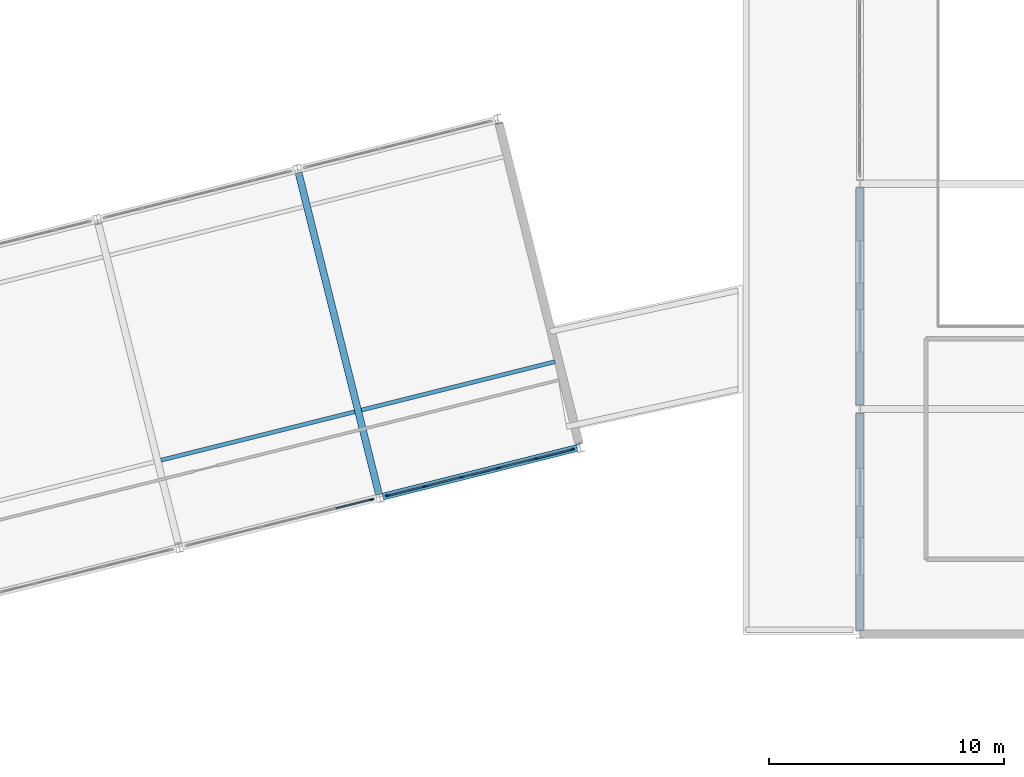
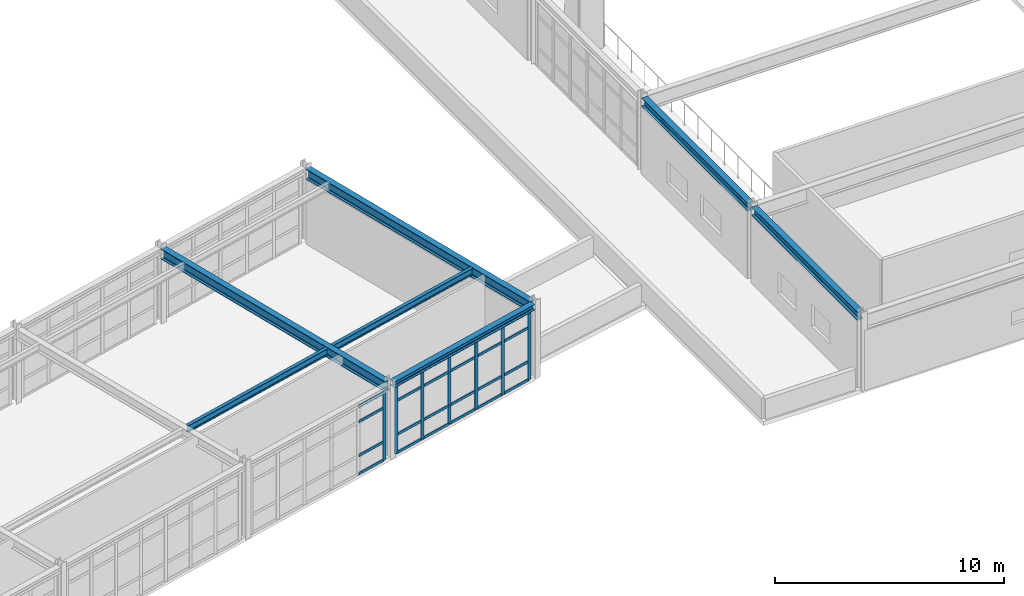
# One storey, part 22 of 76: 31 members, 7 beams, 2 elements without a shape of their own.
"""IFC4 building model written with IfcOpenShell, lengths in metres."""

from ifc_helpers import new_model, si_unit, direction, frame, origin, origin_2d, place, context, subcontext, project, spatial, rectangle, i_section, extrude, material, layer, layer_set, material_profile, profile_set, type_object, element, aggregate, save


model = new_model("IFC4")

# Units and contexts
model_context = context("Model", 3, precision=1e-05, world=origin(), true_north=direction((0.0, 1.0)))
body_context = subcontext(model_context, "Body", "Model", "MODEL_VIEW")
ifc_project = project(units=[si_unit("LENGTHUNIT", "METRE"), si_unit("AREAUNIT", "SQUARE_METRE"), si_unit("VOLUMEUNIT", "CUBIC_METRE"), si_unit("PLANEANGLEUNIT", "RADIAN"), si_unit("MASSUNIT", "GRAM", prefix="KILO")], contexts=[model_context])

# Site, building, storey
site_placement = place(None, origin())
site = spatial("IfcSite", under=ifc_project, at=site_placement, CompositionType="ELEMENT")
building_placement = place(site_placement, origin())
building = spatial("IfcBuilding", under=site, at=building_placement, Name="Nordkorset Police Headquarters", CompositionType="ELEMENT")
storey_placement = place(building_placement, frame((0.0, 0.0, 13.64990234375)))
storey = spatial("IfcBuildingStorey", under=building, at=storey_placement, Name="L03", CompositionType="ELEMENT", Elevation=13.64990234375)

# Beams
ifc_material_1 = material(Name="Steel S355J2", Category="steel")
ifc_material_profile_1 = material_profile(ifc_material_1, i_section(OverallWidth=0.169921875, OverallDepth=0.360107421875, WebThickness=0.008056640625, FlangeThickness=0.0126953125, FilletRadius=0.01806640625, at=origin_2d()), Name="IPE 360")
ifc_profile_set_1 = profile_set([ifc_material_profile_1], Name="Steel S355J2")
beam_type_1 = type_object("IfcBeamType", Name="Beam_IPE_360", PredefinedType="BEAM", material=ifc_profile_set_1)
for number, where, z_axis, x_axis, name in (
    (1, (61.629638671875, 55.42431640625, 3.80517578125), (0.970142500145, 0.242535625036, 0.0), (-0.242535625036, 0.970142500145, 0.0), "Splayed Wing Secondary Beam L03 4-1"),
    (2, (70.166748046875, 57.55859375, 3.80517578125), (0.970144189653, 0.242528866904, 0.0), (-0.242528866904, 0.970144189653, 0.0), "Splayed Wing Secondary Beam L03 5-1"),
):
    element("IfcBeam", number, at=place(storey_placement, frame(where, z_axis=z_axis, x_axis=x_axis)), inside=storey, type_object=beam_type_1, Name=name, PredefinedType="BEAM", context=body_context, shape_type="SweptSolid", body=[
        extrude(i_section(OverallWidth=0.169921875, OverallDepth=0.360107421875, WebThickness=0.008056640625, FlangeThickness=0.0126953125, FilletRadius=0.01806640625, at=origin_2d()), origin(), (0.0, 0.0, 1.0), 8.5),
    ])

# Curtain wall, member
ifc_material_2 = material(Name="Aluminium alloy AW-6060", Category="aluminium")
ifc_layer = layer(ifc_material_2, 0.179931640625, Name="Aluminium alloy AW-6060")
ifc_layer_set = layer_set([ifc_layer], Name="Aluminium alloy AW-6060")
curtain_wall_type = type_object("IfcCurtainWallType", Name="CW_Unit_816x366", PredefinedType="USERDEFINED", material=ifc_layer_set)
curtain_wall_1_placement = place(storey_placement, origin())
curtain_wall_1 = element("IfcCurtainWall", 3, at=curtain_wall_1_placement, inside=storey, type_object=curtain_wall_type, Name="Unitised Curtain Wall L03 V4S-4", ObjectType="UNITISED CURTAIN WALL", PredefinedType="USERDEFINED")
ifc_material_3 = material(Name="Aluminium alloy AW-6060", Category="aluminium")
ifc_material_profile_2 = material_profile(ifc_material_3, rectangle(XDim=0.06494140625, YDim=0.179931640625, at=origin_2d()), Name="ALU MULL 65x180")
ifc_profile_set_2 = profile_set([ifc_material_profile_2], Name="Aluminium alloy AW-6060")
member_type_1 = type_object("IfcMemberType", Name="CW_Mullion_65x180", PredefinedType="MULLION", material=ifc_profile_set_2)
member_1_placement = place(storey_placement, frame((70.60107421875, 53.750244140625, 0.0), z_axis=(0.0, 0.0, 1.0), x_axis=(-0.242535625038, 0.970142500145, 0.0)))
member_1 = element("IfcMember", 4, at=member_1_placement, type_object=member_type_1, Name="CW-87 mullion 6", PredefinedType="MULLION", context=body_context, shape_type="SweptSolid", body=[
    extrude(rectangle(XDim=0.06494140625, YDim=0.179931640625, at=origin_2d()), origin(), (0.0, 0.0, 1.0), 3.655029296875),
])

# Curtain wall, members
curtain_wall_2_placement = place(storey_placement, origin())
curtain_wall_2 = element("IfcCurtainWall", 5, at=curtain_wall_2_placement, inside=storey, type_object=curtain_wall_type, Name="Unitised Curtain Wall L03 V4S-5", ObjectType="UNITISED CURTAIN WALL", PredefinedType="USERDEFINED")
member_2_placement = place(storey_placement, frame((71.284912109375, 53.921142578125, 0.0), z_axis=(0.0, 0.0, 1.0), x_axis=(-0.242535625038, 0.970142500145, 0.0)))
member_2 = element("IfcMember", 6, at=member_2_placement, type_object=member_type_1, Name="CW-87 mullion 1", PredefinedType="MULLION", context=body_context, shape_type="SweptSolid", body=[
    extrude(rectangle(XDim=0.06494140625, YDim=0.179931640625, at=origin_2d()), origin(), (0.0, 0.0, 1.0), 3.655029296875),
])
member_3_placement = place(storey_placement, frame((72.836669921875, 54.30908203125, 0.0), z_axis=(0.0, 0.0, 1.0), x_axis=(-0.242535625038, 0.970142500145, 0.0)))
member_3 = element("IfcMember", 7, at=member_3_placement, type_object=member_type_1, Name="CW-87 mullion 2", PredefinedType="MULLION", context=body_context, shape_type="SweptSolid", body=[
    extrude(rectangle(XDim=0.06494140625, YDim=0.179931640625, at=origin_2d()), origin(), (0.0, 0.0, 1.0), 3.655029296875),
])
member_4_placement = place(storey_placement, frame((74.419921875, 54.705078125, 0.0), z_axis=(0.0, 0.0, 1.0), x_axis=(-0.242535625038, 0.970142500145, 0.0)))
member_4 = element("IfcMember", 8, at=member_4_placement, type_object=member_type_1, Name="CW-87 mullion 3", PredefinedType="MULLION", context=body_context, shape_type="SweptSolid", body=[
    extrude(rectangle(XDim=0.06494140625, YDim=0.179931640625, at=origin_2d()), origin(), (0.0, 0.0, 1.0), 3.655029296875),
])
member_5_placement = place(storey_placement, frame((76.003173828125, 55.100830078125, 0.0), z_axis=(0.0, 0.0, 1.0), x_axis=(-0.242535625038, 0.970142500145, 0.0)))
member_5 = element("IfcMember", 9, at=member_5_placement, type_object=member_type_1, Name="CW-87 mullion 4", PredefinedType="MULLION", context=body_context, shape_type="SweptSolid", body=[
    extrude(rectangle(XDim=0.06494140625, YDim=0.179931640625, at=origin_2d()), origin(), (0.0, 0.0, 1.0), 3.655029296875),
])
member_6_placement = place(storey_placement, frame((77.58642578125, 55.49658203125, 0.0), z_axis=(0.0, 0.0, 1.0), x_axis=(-0.242535625038, 0.970142500145, 0.0)))
member_6 = element("IfcMember", 10, at=member_6_placement, type_object=member_type_1, Name="CW-87 mullion 5", PredefinedType="MULLION", context=body_context, shape_type="SweptSolid", body=[
    extrude(rectangle(XDim=0.06494140625, YDim=0.179931640625, at=origin_2d()), origin(), (0.0, 0.0, 1.0), 3.655029296875),
])
member_7_placement = place(storey_placement, frame((79.13818359375, 55.884521484375, 0.0), z_axis=(0.0, 0.0, 1.0), x_axis=(-0.242535625038, 0.970142500145, 0.0)))
member_7 = element("IfcMember", 11, at=member_7_placement, type_object=member_type_1, Name="CW-87 mullion 6", PredefinedType="MULLION", context=body_context, shape_type="SweptSolid", body=[
    extrude(rectangle(XDim=0.06494140625, YDim=0.179931640625, at=origin_2d()), origin(), (0.0, 0.0, 1.0), 3.655029296875),
])

# Member
ifc_material_4 = material(Name="Aluminium alloy AW-6060", Category="aluminium")
ifc_material_profile_3 = material_profile(ifc_material_4, rectangle(XDim=0.06494140625, YDim=0.139892578125, at=origin_2d()), Name="ALU TRAN 65x140")
ifc_profile_set_3 = profile_set([ifc_material_profile_3], Name="Aluminium alloy AW-6060")
member_type_2 = type_object("IfcMemberType", Name="CW_Transom_65x140", PredefinedType="USERDEFINED", material=ifc_profile_set_3)
member_8_placement = place(storey_placement, frame((69.080810546875, 53.3701171875, 0.03271484375), z_axis=(0.970114414808, 0.242647938754, 0.0), x_axis=(-0.242647938754, 0.970114414808, 0.0)))
member_8 = element("IfcMember", 12, at=member_8_placement, type_object=member_type_2, Name="CW-87 transom 5.1", ObjectType="TRANSOM", PredefinedType="USERDEFINED", context=body_context, shape_type="SweptSolid", body=[
    extrude(rectangle(XDim=0.06494140625, YDim=0.139892578125, at=origin_2d()), origin(), (0.0, 0.0, 1.0), 1.534423828125),
])

member_9_placement = place(storey_placement, frame((69.080810546875, 53.3701171875, 1.0), z_axis=(0.970114414808, 0.242647938754, 0.0), x_axis=(-0.242647938754, 0.970114414808, 0.0)))
member_9 = element("IfcMember", 13, at=member_9_placement, type_object=member_type_2, Name="CW-87 transom 5.2", ObjectType="TRANSOM", PredefinedType="USERDEFINED", context=body_context, shape_type="SweptSolid", body=[
    extrude(rectangle(XDim=0.06494140625, YDim=0.139892578125, at=origin_2d()), origin(), (0.0, 0.0, 1.0), 1.534423828125),
])

member_10_placement = place(storey_placement, frame((69.080810546875, 53.3701171875, 2.80517578125), z_axis=(0.970114414808, 0.242647938754, 0.0), x_axis=(-0.242647938754, 0.970114414808, 0.0)))
member_10 = element("IfcMember", 14, at=member_10_placement, type_object=member_type_2, Name="CW-87 transom 5.3", ObjectType="TRANSOM", PredefinedType="USERDEFINED", context=body_context, shape_type="SweptSolid", body=[
    extrude(rectangle(XDim=0.06494140625, YDim=0.139892578125, at=origin_2d()), origin(), (0.0, 0.0, 1.0), 1.534423828125),
])

member_11_placement = place(storey_placement, frame((69.080810546875, 53.3701171875, 3.62255859375), z_axis=(0.970114414808, 0.242647938754, 0.0), x_axis=(-0.242647938754, 0.970114414808, 0.0)))
member_11 = element("IfcMember", 15, at=member_11_placement, type_object=member_type_2, Name="CW-87 transom 5.4", ObjectType="TRANSOM", PredefinedType="USERDEFINED", context=body_context, shape_type="SweptSolid", body=[
    extrude(rectangle(XDim=0.06494140625, YDim=0.139892578125, at=origin_2d()), origin(), (0.0, 0.0, 1.0), 1.534423828125),
])

aggregate(curtain_wall_1, [member_1, member_8, member_9, member_10, member_11])

member_12_placement = place(storey_placement, frame((71.31640625, 53.92919921875, 0.03271484375), z_axis=(0.970161214313, 0.242460756086, 0.0), x_axis=(-0.242460756086, 0.970161214313, 0.0)))
member_12 = element("IfcMember", 16, at=member_12_placement, type_object=member_type_2, Name="CW-87 transom 1.1", ObjectType="TRANSOM", PredefinedType="USERDEFINED", context=body_context, shape_type="SweptSolid", body=[
    extrude(rectangle(XDim=0.06494140625, YDim=0.139892578125, at=origin_2d()), origin(), (0.0, 0.0, 1.0), 1.53466796875),
])

member_13_placement = place(storey_placement, frame((71.31640625, 53.92919921875, 1.0), z_axis=(0.970161214313, 0.242460756086, 0.0), x_axis=(-0.242460756086, 0.970161214313, 0.0)))
member_13 = element("IfcMember", 17, at=member_13_placement, type_object=member_type_2, Name="CW-87 transom 1.2", ObjectType="TRANSOM", PredefinedType="USERDEFINED", context=body_context, shape_type="SweptSolid", body=[
    extrude(rectangle(XDim=0.06494140625, YDim=0.139892578125, at=origin_2d()), origin(), (0.0, 0.0, 1.0), 1.53466796875),
])

member_14_placement = place(storey_placement, frame((71.31640625, 53.92919921875, 2.80517578125), z_axis=(0.970161214313, 0.242460756086, 0.0), x_axis=(-0.242460756086, 0.970161214313, 0.0)))
member_14 = element("IfcMember", 18, at=member_14_placement, type_object=member_type_2, Name="CW-87 transom 1.3", ObjectType="TRANSOM", PredefinedType="USERDEFINED", context=body_context, shape_type="SweptSolid", body=[
    extrude(rectangle(XDim=0.06494140625, YDim=0.139892578125, at=origin_2d()), origin(), (0.0, 0.0, 1.0), 1.53466796875),
])

member_15_placement = place(storey_placement, frame((71.31640625, 53.92919921875, 3.62255859375), z_axis=(0.970161214313, 0.242460756086, 0.0), x_axis=(-0.242460756086, 0.970161214313, 0.0)))
member_15 = element("IfcMember", 19, at=member_15_placement, type_object=member_type_2, Name="CW-87 transom 1.4", ObjectType="TRANSOM", PredefinedType="USERDEFINED", context=body_context, shape_type="SweptSolid", body=[
    extrude(rectangle(XDim=0.06494140625, YDim=0.139892578125, at=origin_2d()), origin(), (0.0, 0.0, 1.0), 1.53466796875),
])

member_16_placement = place(storey_placement, frame((72.8681640625, 54.317138671875, 0.03271484375), z_axis=(0.970169988125, 0.242425646623, 0.0), x_axis=(-0.242425646623, 0.970169988125, 0.0)))
member_16 = element("IfcMember", 20, at=member_16_placement, type_object=member_type_2, Name="CW-87 transom 2.1", ObjectType="TRANSOM", PredefinedType="USERDEFINED", context=body_context, shape_type="SweptSolid", body=[
    extrude(rectangle(XDim=0.06494140625, YDim=0.139892578125, at=origin_2d()), origin(), (0.0, 0.0, 1.0), 1.56689453125),
])

member_17_placement = place(storey_placement, frame((72.8681640625, 54.317138671875, 1.0), z_axis=(0.970169988125, 0.242425646623, 0.0), x_axis=(-0.242425646623, 0.970169988125, 0.0)))
member_17 = element("IfcMember", 21, at=member_17_placement, type_object=member_type_2, Name="CW-87 transom 2.2", ObjectType="TRANSOM", PredefinedType="USERDEFINED", context=body_context, shape_type="SweptSolid", body=[
    extrude(rectangle(XDim=0.06494140625, YDim=0.139892578125, at=origin_2d()), origin(), (0.0, 0.0, 1.0), 1.56689453125),
])

member_18_placement = place(storey_placement, frame((72.8681640625, 54.317138671875, 2.80517578125), z_axis=(0.970169988125, 0.242425646623, 0.0), x_axis=(-0.242425646623, 0.970169988125, 0.0)))
member_18 = element("IfcMember", 22, at=member_18_placement, type_object=member_type_2, Name="CW-87 transom 2.3", ObjectType="TRANSOM", PredefinedType="USERDEFINED", context=body_context, shape_type="SweptSolid", body=[
    extrude(rectangle(XDim=0.06494140625, YDim=0.139892578125, at=origin_2d()), origin(), (0.0, 0.0, 1.0), 1.56689453125),
])

member_19_placement = place(storey_placement, frame((72.8681640625, 54.317138671875, 3.62255859375), z_axis=(0.970169988125, 0.242425646623, 0.0), x_axis=(-0.242425646623, 0.970169988125, 0.0)))
member_19 = element("IfcMember", 23, at=member_19_placement, type_object=member_type_2, Name="CW-87 transom 2.4", ObjectType="TRANSOM", PredefinedType="USERDEFINED", context=body_context, shape_type="SweptSolid", body=[
    extrude(rectangle(XDim=0.06494140625, YDim=0.139892578125, at=origin_2d()), origin(), (0.0, 0.0, 1.0), 1.56689453125),
])

member_20_placement = place(storey_placement, frame((74.451416015625, 54.712890625, 0.03271484375), z_axis=(0.970133335061, 0.24257228243, 0.0), x_axis=(-0.24257228243, 0.970133335061, 0.0)))
member_20 = element("IfcMember", 24, at=member_20_placement, type_object=member_type_2, Name="CW-87 transom 3.1", ObjectType="TRANSOM", PredefinedType="USERDEFINED", context=body_context, shape_type="SweptSolid", body=[
    extrude(rectangle(XDim=0.06494140625, YDim=0.139892578125, at=origin_2d()), origin(), (0.0, 0.0, 1.0), 1.567138671875),
])

member_21_placement = place(storey_placement, frame((74.451416015625, 54.712890625, 1.0), z_axis=(0.970133335061, 0.24257228243, 0.0), x_axis=(-0.24257228243, 0.970133335061, 0.0)))
member_21 = element("IfcMember", 25, at=member_21_placement, type_object=member_type_2, Name="CW-87 transom 3.2", ObjectType="TRANSOM", PredefinedType="USERDEFINED", context=body_context, shape_type="SweptSolid", body=[
    extrude(rectangle(XDim=0.06494140625, YDim=0.139892578125, at=origin_2d()), origin(), (0.0, 0.0, 1.0), 1.567138671875),
])

member_22_placement = place(storey_placement, frame((74.451416015625, 54.712890625, 2.80517578125), z_axis=(0.970133335061, 0.24257228243, 0.0), x_axis=(-0.24257228243, 0.970133335061, 0.0)))
member_22 = element("IfcMember", 26, at=member_22_placement, type_object=member_type_2, Name="CW-87 transom 3.3", ObjectType="TRANSOM", PredefinedType="USERDEFINED", context=body_context, shape_type="SweptSolid", body=[
    extrude(rectangle(XDim=0.06494140625, YDim=0.139892578125, at=origin_2d()), origin(), (0.0, 0.0, 1.0), 1.567138671875),
])

member_23_placement = place(storey_placement, frame((74.451416015625, 54.712890625, 3.62255859375), z_axis=(0.970133335061, 0.24257228243, 0.0), x_axis=(-0.24257228243, 0.970133335061, 0.0)))
member_23 = element("IfcMember", 27, at=member_23_placement, type_object=member_type_2, Name="CW-87 transom 3.4", ObjectType="TRANSOM", PredefinedType="USERDEFINED", context=body_context, shape_type="SweptSolid", body=[
    extrude(rectangle(XDim=0.06494140625, YDim=0.139892578125, at=origin_2d()), origin(), (0.0, 0.0, 1.0), 1.567138671875),
])

member_24_placement = place(storey_placement, frame((76.03466796875, 55.108642578125, 0.03271484375), z_axis=(0.970133335061, 0.24257228243, 0.0), x_axis=(-0.24257228243, 0.970133335061, 0.0)))
member_24 = element("IfcMember", 28, at=member_24_placement, type_object=member_type_2, Name="CW-87 transom 4.1", ObjectType="TRANSOM", PredefinedType="USERDEFINED", context=body_context, shape_type="SweptSolid", body=[
    extrude(rectangle(XDim=0.06494140625, YDim=0.139892578125, at=origin_2d()), origin(), (0.0, 0.0, 1.0), 1.567138671875),
])

member_25_placement = place(storey_placement, frame((76.03466796875, 55.108642578125, 1.0), z_axis=(0.970133335061, 0.24257228243, 0.0), x_axis=(-0.24257228243, 0.970133335061, 0.0)))
member_25 = element("IfcMember", 29, at=member_25_placement, type_object=member_type_2, Name="CW-87 transom 4.2", ObjectType="TRANSOM", PredefinedType="USERDEFINED", context=body_context, shape_type="SweptSolid", body=[
    extrude(rectangle(XDim=0.06494140625, YDim=0.139892578125, at=origin_2d()), origin(), (0.0, 0.0, 1.0), 1.567138671875),
])

member_26_placement = place(storey_placement, frame((76.03466796875, 55.108642578125, 2.80517578125), z_axis=(0.970133335061, 0.24257228243, 0.0), x_axis=(-0.24257228243, 0.970133335061, 0.0)))
member_26 = element("IfcMember", 30, at=member_26_placement, type_object=member_type_2, Name="CW-87 transom 4.3", ObjectType="TRANSOM", PredefinedType="USERDEFINED", context=body_context, shape_type="SweptSolid", body=[
    extrude(rectangle(XDim=0.06494140625, YDim=0.139892578125, at=origin_2d()), origin(), (0.0, 0.0, 1.0), 1.567138671875),
])

member_27_placement = place(storey_placement, frame((76.03466796875, 55.108642578125, 3.62255859375), z_axis=(0.970133335061, 0.24257228243, 0.0), x_axis=(-0.24257228243, 0.970133335061, 0.0)))
member_27 = element("IfcMember", 31, at=member_27_placement, type_object=member_type_2, Name="CW-87 transom 4.4", ObjectType="TRANSOM", PredefinedType="USERDEFINED", context=body_context, shape_type="SweptSolid", body=[
    extrude(rectangle(XDim=0.06494140625, YDim=0.139892578125, at=origin_2d()), origin(), (0.0, 0.0, 1.0), 1.567138671875),
])

member_28_placement = place(storey_placement, frame((77.617919921875, 55.50439453125, 0.03271484375), z_axis=(0.970123780922, 0.242610489653, 0.0), x_axis=(-0.242610489653, 0.970123780922, 0.0)))
member_28 = element("IfcMember", 32, at=member_28_placement, type_object=member_type_2, Name="CW-87 transom 5.1", ObjectType="TRANSOM", PredefinedType="USERDEFINED", context=body_context, shape_type="SweptSolid", body=[
    extrude(rectangle(XDim=0.06494140625, YDim=0.139892578125, at=origin_2d()), origin(), (0.0, 0.0, 1.0), 1.53466796875),
])

member_29_placement = place(storey_placement, frame((77.617919921875, 55.50439453125, 1.0), z_axis=(0.970123780922, 0.242610489653, 0.0), x_axis=(-0.242610489653, 0.970123780922, 0.0)))
member_29 = element("IfcMember", 33, at=member_29_placement, type_object=member_type_2, Name="CW-87 transom 5.2", ObjectType="TRANSOM", PredefinedType="USERDEFINED", context=body_context, shape_type="SweptSolid", body=[
    extrude(rectangle(XDim=0.06494140625, YDim=0.139892578125, at=origin_2d()), origin(), (0.0, 0.0, 1.0), 1.53466796875),
])

member_30_placement = place(storey_placement, frame((77.617919921875, 55.50439453125, 2.80517578125), z_axis=(0.970123780922, 0.242610489653, 0.0), x_axis=(-0.242610489653, 0.970123780922, 0.0)))
member_30 = element("IfcMember", 34, at=member_30_placement, type_object=member_type_2, Name="CW-87 transom 5.3", ObjectType="TRANSOM", PredefinedType="USERDEFINED", context=body_context, shape_type="SweptSolid", body=[
    extrude(rectangle(XDim=0.06494140625, YDim=0.139892578125, at=origin_2d()), origin(), (0.0, 0.0, 1.0), 1.53466796875),
])

member_31_placement = place(storey_placement, frame((77.617919921875, 55.50439453125, 3.62255859375), z_axis=(0.970123780922, 0.242610489653, 0.0), x_axis=(-0.242610489653, 0.970123780922, 0.0)))
member_31 = element("IfcMember", 35, at=member_31_placement, type_object=member_type_2, Name="CW-87 transom 5.4", ObjectType="TRANSOM", PredefinedType="USERDEFINED", context=body_context, shape_type="SweptSolid", body=[
    extrude(rectangle(XDim=0.06494140625, YDim=0.139892578125, at=origin_2d()), origin(), (0.0, 0.0, 1.0), 1.53466796875),
])

aggregate(curtain_wall_2, [member_2, member_3, member_4, member_5, member_6, member_7, member_12, member_13, member_14, member_15, member_16, member_17, member_18, member_19, member_20, member_21, member_22, member_23, member_24, member_25, member_26, member_27, member_28, member_29, member_30, member_31])

# Beams
ifc_material_5 = material(Name="Steel S355J2", Category="steel")
ifc_material_profile_4 = material_profile(ifc_material_5, i_section(OverallWidth=0.300048828125, OverallDepth=0.43994140625, WebThickness=0.011474609375, FlangeThickness=0.02099609375, FilletRadius=0.027099609375, at=origin_2d()), Name="HEA 450")
ifc_profile_set_4 = profile_set([ifc_material_profile_4], Name="Steel S355J2")
beam_type_2 = type_object("IfcBeamType", Name="Girder_HEA_450", PredefinedType="USERDEFINED", material=ifc_profile_set_4)
for number, where, z_axis, x_axis, name in (
    (36, (91.39990234375, 48.169921875, 3.80517578125), (0.0, 1.0, 0.0), (-1.0, 0.0, 0.0), "Girder V5 L03 GY-0-0"),
    (37, (91.39990234375, 57.77001953125, 3.80517578125), (0.0, 1.0, 0.0), (-1.0, 0.0, 0.0), "Girder V5 L03 GY-0-1"),
):
    element("IfcBeam", number, at=place(storey_placement, frame(where, z_axis=z_axis, x_axis=x_axis)), inside=storey, type_object=beam_type_2, Name=name, ObjectType="GIRDER", PredefinedType="USERDEFINED", context=body_context, shape_type="SweptSolid", body=[
        extrude(i_section(OverallWidth=0.300048828125, OverallDepth=0.43994140625, WebThickness=0.011474609375, FlangeThickness=0.02099609375, FilletRadius=0.027099609375, at=origin_2d()), origin(), (0.0, 0.0, 1.0), 9.260009765625),
    ])
ifc_material_6 = material(Name="Steel S355J2", Category="steel")
ifc_material_profile_5 = material_profile(ifc_material_6, i_section(OverallWidth=0.300048828125, OverallDepth=0.5400390625, WebThickness=0.012451171875, FlangeThickness=0.02392578125, FilletRadius=0.027099609375, at=origin_2d()), Name="HEA 550")
ifc_profile_set_5 = profile_set([ifc_material_profile_5], Name="Steel S355J2")
beam_type_3 = type_object("IfcBeamType", Name="Girder_HEA_550", PredefinedType="USERDEFINED", material=ifc_profile_set_5)
for number, where, z_axis, x_axis, name in (
    (38, (70.908935546875, 53.9716796875, 3.715087890625), (-0.242535625036, 0.970142500145, 0.0), (-0.970142500145, -0.242535625036, 0.0), "Splayed Wing Transverse Girder L03 5"),
    (39, (79.4462890625, 56.10595703125, 3.696044921875), (-0.242535625036, 0.970142500145, 0.0), (-0.970142500145, -0.242535625036, 0.0), "Splayed Wing Transverse Girder L03 6"),
):
    element("IfcBeam", number, at=place(storey_placement, frame(where, z_axis=z_axis, x_axis=x_axis)), inside=storey, type_object=beam_type_3, Name=name, ObjectType="GIRDER", PredefinedType="USERDEFINED", context=body_context, shape_type="SweptSolid", body=[
        extrude(i_section(OverallWidth=0.300048828125, OverallDepth=0.5400390625, WebThickness=0.012451171875, FlangeThickness=0.02392578125, FilletRadius=0.027099609375, at=origin_2d()), origin(), (0.0, 0.0, 1.0), 14.119873046875),
    ])
ifc_material_7 = material(Name="Steel S355J2", Category="steel")
ifc_material_profile_6 = material_profile(ifc_material_7, i_section(OverallWidth=0.300048828125, OverallDepth=0.31005859375, WebThickness=0.009033203125, FlangeThickness=0.015380859375, FilletRadius=0.027099609375, at=origin_2d()), Name="HEA 320")
ifc_profile_set_6 = profile_set([ifc_material_profile_6], Name="Steel S355J2")
beam_type_4 = type_object("IfcBeamType", Name="Spandrel_HEA_320", PredefinedType="SPANDREL", material=ifc_profile_set_6)
beam_placement = place(storey_placement, frame((71.069091796875, 53.8671875, 3.830078125), z_axis=(0.970140818463, 0.242542351668, 0.0), x_axis=(-0.242542351668, 0.970140818463, 0.0)))
element("IfcBeam", 40, at=beam_placement, inside=storey, type_object=beam_type_4, Name="Splayed Wing Spandrel L03 5-0", PredefinedType="SPANDREL", context=body_context, shape_type="SweptSolid", body=[
    extrude(i_section(OverallWidth=0.300048828125, OverallDepth=0.31005859375, WebThickness=0.009033203125, FlangeThickness=0.015380859375, FilletRadius=0.027099609375, at=origin_2d()), origin(), (0.0, 0.0, 1.0), 8.539794921875),
])

save(model, "model.ifc")
